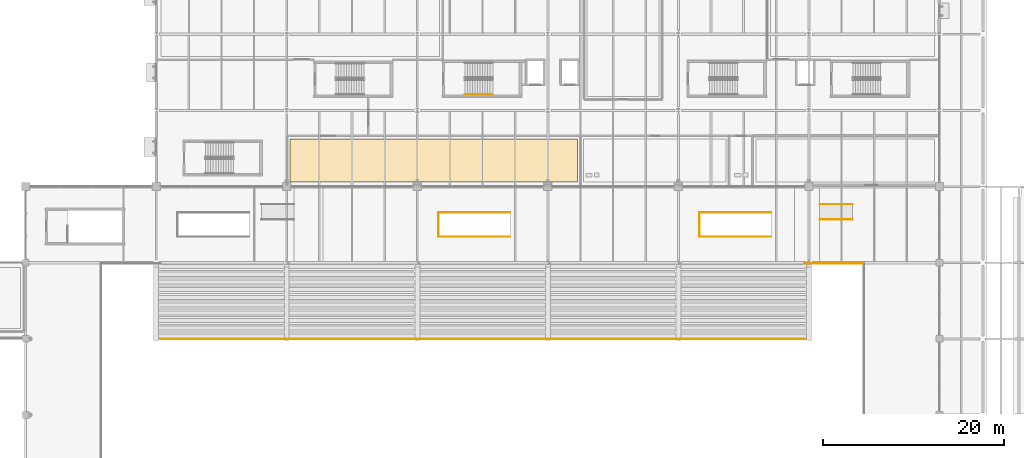
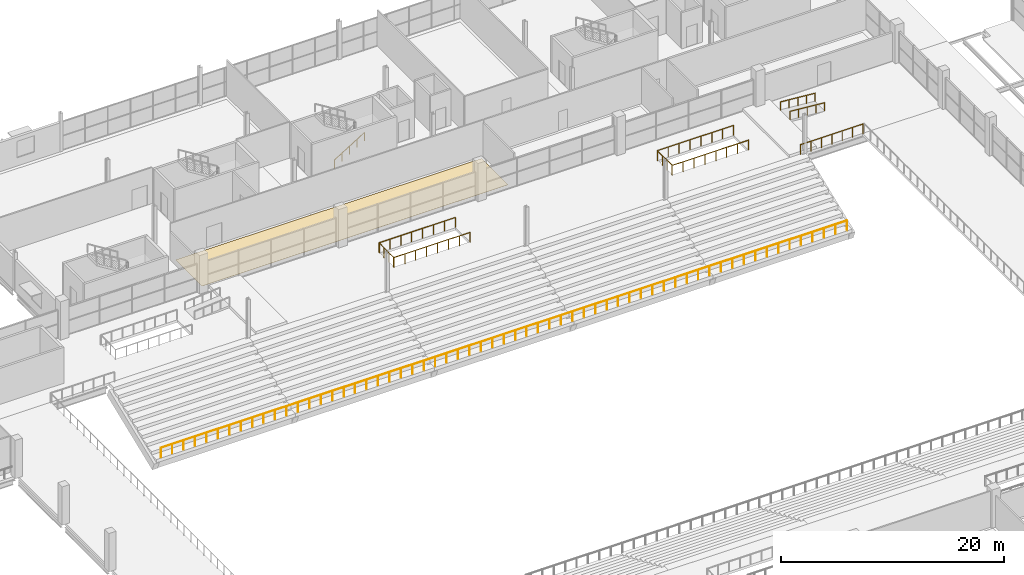
# One storey, part 156 of 161: 11 railings, 1 covering.
"""IFC4 building model written with IfcOpenShell, lengths in metres."""

from ifc_helpers import new_model, si_unit, direction, frame, origin, origin_2d, place, context, subcontext, project, spatial, polyline, circle, outline, extrude, material, layer, layer_set, type_object, element, save


model = new_model("IFC4")

# Units and contexts
model_context = context("Model", 3, precision=1e-05, world=origin(), true_north=direction((0.0, 1.0)))
body_context = subcontext(model_context, "Body", "Model", "MODEL_VIEW")
ifc_project = project(units=[si_unit("LENGTHUNIT", "METRE"), si_unit("AREAUNIT", "SQUARE_METRE"), si_unit("VOLUMEUNIT", "CUBIC_METRE"), si_unit("PLANEANGLEUNIT", "RADIAN"), si_unit("MASSUNIT", "GRAM", prefix="KILO"), si_unit("THERMODYNAMICTEMPERATUREUNIT", "KELVIN")], contexts=[model_context])

# Site, building, storey
site_placement = place(None, origin())
site = spatial("IfcSite", under=ifc_project, at=site_placement, CompositionType="ELEMENT")
building_placement = place(site_placement, origin())
building = spatial("IfcBuilding", under=site, at=building_placement, Name="Nduvali Passage Aquatics Centre", CompositionType="ELEMENT")
storey_placement = place(building_placement, frame((0.0, 0.0, 4.800048828125)))
storey = spatial("IfcBuildingStorey", under=building, at=storey_placement, Name="L01", CompositionType="ELEMENT", Elevation=4.800048828125)

# Covering
ifc_material_1 = material(Name="Resilient sports rubber flooring")
ifc_layer = layer(ifc_material_1, 0.02001953125, Name="Resilient sports rubber flooring")
ifc_layer_set = layer_set([ifc_layer], Name="Resilient sports rubber flooring")
covering_type = type_object("IfcCoveringType", Name="INT-COV-SPORT", PredefinedType="FLOORING", material=ifc_layer_set)
covering_placement = place(storey_placement, origin())
element("IfcCovering", 1, at=covering_placement, inside=storey, type_object=covering_type, Name="L01 Pool-View Functional Training Zone Floor Finish", PredefinedType="FLOORING", context=body_context, shape_type="SweptSolid", body=[
    extrude(outline(polyline([(54.3701171875, 92.909912109375), (86.050048828125, 92.909912109375), (86.050048828125, 97.64990234375), (54.3701171875, 97.64990234375), (54.3701171875, 92.909912109375)])), origin(), (0.0, 0.0, 1.0), 0.02001953125),
])

# Railings
ifc_material_2 = material(Name="Stainless steel balustrade", Category="steel")
railing_type_1 = type_object("IfcRailingType", Name="INT-RLG-GRD110", PredefinedType="GUARDRAIL", material=ifc_material_2)
railing_1_placement = place(storey_placement, frame((70.739990234375, 86.925048828125, 0.0)))
element("IfcRailing", 2, at=railing_1_placement, inside=storey, type_object=railing_type_1, Name="L01 Vomitory VST5 Well West Guardrail", PredefinedType="GUARDRAIL", context=body_context, shape_type="SweptSolid", body=[
    extrude(circle(Radius=0.02392578125, at=origin_2d()), frame((0.0, 0.0, 1.076171875), z_axis=(0.0, 1.0, 0.0), x_axis=(-1.0, 0.0, 0.0)), (0.0, 0.0, 1.0), 2.550048828125),
    extrude(circle(Radius=0.02099609375, at=origin_2d()), origin(), (0.0, 0.0, 1.0), 1.052001953125),
    extrude(circle(Radius=0.02099609375, at=origin_2d()), frame((0.0, 0.85009765625, 0.0)), (0.0, 0.0, 1.0), 1.052001953125),
    extrude(circle(Radius=0.02099609375, at=origin_2d()), frame((0.0, 1.699951171875, 0.0)), (0.0, 0.0, 1.0), 1.052001953125),
    extrude(circle(Radius=0.02099609375, at=origin_2d()), frame((0.0, 2.550048828125, 0.0)), (0.0, 0.0, 1.0), 1.052001953125),
])
for number, where, name in (
    (3, (70.739990234375, 86.864990234375, 0.0), "L01 Vomitory VST5 Well S Guardrail"),
    (4, (70.739990234375, 89.534912109375, 0.0), "L01 Vomitory VST5 Well N Guardrail"),
):
    element("IfcRailing", number, at=place(storey_placement, frame(where)), inside=storey, type_object=railing_type_1, Name=name, PredefinedType="GUARDRAIL", context=body_context, shape_type="SweptSolid", body=[
        extrude(circle(Radius=0.02392578125, at=origin_2d()), frame((0.0, 0.0, 1.076171875), z_axis=(1.0, 0.0, 0.0), x_axis=(0.0, 1.0, 0.0)), (0.0, 0.0, 1.0), 7.889892578125),
        extrude(circle(Radius=0.02099609375, at=origin_2d()), origin(), (0.0, 0.0, 1.0), 1.052001953125),
        extrude(circle(Radius=0.02099609375, at=origin_2d()), frame((1.127197265625, 0.0, 0.0)), (0.0, 0.0, 1.0), 1.052001953125),
        extrude(circle(Radius=0.02099609375, at=origin_2d()), frame((2.254150390625, 0.0, 0.0)), (0.0, 0.0, 1.0), 1.052001953125),
        extrude(circle(Radius=0.02099609375, at=origin_2d()), frame((3.38134765625, 0.0, 0.0)), (0.0, 0.0, 1.0), 1.052001953125),
        extrude(circle(Radius=0.02099609375, at=origin_2d()), frame((4.508544921875, 0.0, 0.0)), (0.0, 0.0, 1.0), 1.052001953125),
        extrude(circle(Radius=0.02099609375, at=origin_2d()), frame((5.6357421875, 0.0, 0.0)), (0.0, 0.0, 1.0), 1.052001953125),
        extrude(circle(Radius=0.02099609375, at=origin_2d()), frame((6.7626953125, 0.0, 0.0)), (0.0, 0.0, 1.0), 1.052001953125),
        extrude(circle(Radius=0.02099609375, at=origin_2d()), frame((7.889892578125, 0.0, 0.0)), (0.0, 0.0, 1.0), 1.052001953125),
    ])
railing_2_placement = place(storey_placement, frame((99.5400390625, 86.925048828125, 0.0)))
element("IfcRailing", 5, at=railing_2_placement, inside=storey, type_object=railing_type_1, Name="L01 Vomitory VST6 Well West Guardrail", PredefinedType="GUARDRAIL", context=body_context, shape_type="SweptSolid", body=[
    extrude(circle(Radius=0.02392578125, at=origin_2d()), frame((0.0, 0.0, 1.076171875), z_axis=(0.0, 1.0, 0.0), x_axis=(-1.0, 0.0, 0.0)), (0.0, 0.0, 1.0), 2.550048828125),
    extrude(circle(Radius=0.02099609375, at=origin_2d()), origin(), (0.0, 0.0, 1.0), 1.052001953125),
    extrude(circle(Radius=0.02099609375, at=origin_2d()), frame((0.0, 0.85009765625, 0.0)), (0.0, 0.0, 1.0), 1.052001953125),
    extrude(circle(Radius=0.02099609375, at=origin_2d()), frame((0.0, 1.699951171875, 0.0)), (0.0, 0.0, 1.0), 1.052001953125),
    extrude(circle(Radius=0.02099609375, at=origin_2d()), frame((0.0, 2.550048828125, 0.0)), (0.0, 0.0, 1.0), 1.052001953125),
])
for number, where, name in (
    (6, (99.5400390625, 86.864990234375, 0.0), "L01 Vomitory VST6 Well S Guardrail"),
    (7, (99.5400390625, 89.534912109375, 0.0), "L01 Vomitory VST6 Well N Guardrail"),
):
    element("IfcRailing", number, at=place(storey_placement, frame(where)), inside=storey, type_object=railing_type_1, Name=name, PredefinedType="GUARDRAIL", context=body_context, shape_type="SweptSolid", body=[
        extrude(circle(Radius=0.02392578125, at=origin_2d()), frame((0.0, 0.0, 1.076171875), z_axis=(1.0, 0.0, 0.0), x_axis=(0.0, 1.0, 0.0)), (0.0, 0.0, 1.0), 7.889892578125),
        extrude(circle(Radius=0.02099609375, at=origin_2d()), origin(), (0.0, 0.0, 1.0), 1.052001953125),
        extrude(circle(Radius=0.02099609375, at=origin_2d()), frame((1.127197265625, 0.0, 0.0)), (0.0, 0.0, 1.0), 1.052001953125),
        extrude(circle(Radius=0.02099609375, at=origin_2d()), frame((2.254150390625, 0.0, 0.0)), (0.0, 0.0, 1.0), 1.052001953125),
        extrude(circle(Radius=0.02099609375, at=origin_2d()), frame((3.38134765625, 0.0, 0.0)), (0.0, 0.0, 1.0), 1.052001953125),
        extrude(circle(Radius=0.02099609375, at=origin_2d()), frame((4.508544921875, 0.0, 0.0)), (0.0, 0.0, 1.0), 1.052001953125),
        extrude(circle(Radius=0.02099609375, at=origin_2d()), frame((5.6357421875, 0.0, 0.0)), (0.0, 0.0, 1.0), 1.052001953125),
        extrude(circle(Radius=0.02099609375, at=origin_2d()), frame((6.7626953125, 0.0, 0.0)), (0.0, 0.0, 1.0), 1.052001953125),
        extrude(circle(Radius=0.02099609375, at=origin_2d()), frame((7.889892578125, 0.0, 0.0)), (0.0, 0.0, 1.0), 1.052001953125),
    ])
railing_3_placement = place(storey_placement, frame((40.10009765625, 75.580078125, -3.239990234375)))
element("IfcRailing", 8, at=railing_3_placement, inside=storey, type_object=railing_type_1, Name="North Stand Front Sightline Balustrade", PredefinedType="GUARDRAIL", context=body_context, shape_type="SweptSolid", body=[
    extrude(circle(Radius=0.02392578125, at=origin_2d()), frame((0.0, 0.0, 1.076171875), z_axis=(1.0, 0.0, 0.0), x_axis=(0.0, 1.0, 0.0)), (0.0, 0.0, 1.0), 71.0),
    extrude(circle(Radius=0.02099609375, at=origin_2d()), origin(), (0.0, 0.0, 1.0), 1.052001953125),
    extrude(circle(Radius=0.02099609375, at=origin_2d()), frame((1.183349609375, 0.0, 0.0)), (0.0, 0.0, 1.0), 1.052001953125),
    extrude(circle(Radius=0.02099609375, at=origin_2d()), frame((2.36669921875, 0.0, 0.0)), (0.0, 0.0, 1.0), 1.052001953125),
    extrude(circle(Radius=0.02099609375, at=origin_2d()), frame((3.550048828125, 0.0, 0.0)), (0.0, 0.0, 1.0), 1.052001953125),
    extrude(circle(Radius=0.02099609375, at=origin_2d()), frame((4.7333984375, 0.0, 0.0)), (0.0, 0.0, 1.0), 1.052001953125),
    extrude(circle(Radius=0.02099609375, at=origin_2d()), frame((5.916748046875, 0.0, 0.0)), (0.0, 0.0, 1.0), 1.052001953125),
    extrude(circle(Radius=0.02099609375, at=origin_2d()), frame((7.10009765625, 0.0, 0.0)), (0.0, 0.0, 1.0), 1.052001953125),
    extrude(circle(Radius=0.02099609375, at=origin_2d()), frame((8.283447265625, 0.0, 0.0)), (0.0, 0.0, 1.0), 1.052001953125),
    extrude(circle(Radius=0.02099609375, at=origin_2d()), frame((9.466552734375, 0.0, 0.0)), (0.0, 0.0, 1.0), 1.052001953125),
    extrude(circle(Radius=0.02099609375, at=origin_2d()), frame((10.64990234375, 0.0, 0.0)), (0.0, 0.0, 1.0), 1.052001953125),
    extrude(circle(Radius=0.02099609375, at=origin_2d()), frame((11.833251953125, 0.0, 0.0)), (0.0, 0.0, 1.0), 1.052001953125),
    extrude(circle(Radius=0.02099609375, at=origin_2d()), frame((13.0166015625, 0.0, 0.0)), (0.0, 0.0, 1.0), 1.052001953125),
    extrude(circle(Radius=0.02099609375, at=origin_2d()), frame((14.199951171875, 0.0, 0.0)), (0.0, 0.0, 1.0), 1.052001953125),
    extrude(circle(Radius=0.02099609375, at=origin_2d()), frame((15.38330078125, 0.0, 0.0)), (0.0, 0.0, 1.0), 1.052001953125),
    extrude(circle(Radius=0.02099609375, at=origin_2d()), frame((16.566650390625, 0.0, 0.0)), (0.0, 0.0, 1.0), 1.052001953125),
    extrude(circle(Radius=0.02099609375, at=origin_2d()), frame((17.75, 0.0, 0.0)), (0.0, 0.0, 1.0), 1.052001953125),
    extrude(circle(Radius=0.02099609375, at=origin_2d()), frame((18.933349609375, 0.0, 0.0)), (0.0, 0.0, 1.0), 1.052001953125),
    extrude(circle(Radius=0.02099609375, at=origin_2d()), frame((20.11669921875, 0.0, 0.0)), (0.0, 0.0, 1.0), 1.052001953125),
    extrude(circle(Radius=0.02099609375, at=origin_2d()), frame((21.300048828125, 0.0, 0.0)), (0.0, 0.0, 1.0), 1.052001953125),
    extrude(circle(Radius=0.02099609375, at=origin_2d()), frame((22.4833984375, 0.0, 0.0)), (0.0, 0.0, 1.0), 1.052001953125),
    extrude(circle(Radius=0.02099609375, at=origin_2d()), frame((23.666748046875, 0.0, 0.0)), (0.0, 0.0, 1.0), 1.052001953125),
    extrude(circle(Radius=0.02099609375, at=origin_2d()), frame((24.85009765625, 0.0, 0.0)), (0.0, 0.0, 1.0), 1.052001953125),
    extrude(circle(Radius=0.02099609375, at=origin_2d()), frame((26.033447265625, 0.0, 0.0)), (0.0, 0.0, 1.0), 1.052001953125),
    extrude(circle(Radius=0.02099609375, at=origin_2d()), frame((27.216552734375, 0.0, 0.0)), (0.0, 0.0, 1.0), 1.052001953125),
    extrude(circle(Radius=0.02099609375, at=origin_2d()), frame((28.39990234375, 0.0, 0.0)), (0.0, 0.0, 1.0), 1.052001953125),
    extrude(circle(Radius=0.02099609375, at=origin_2d()), frame((29.583251953125, 0.0, 0.0)), (0.0, 0.0, 1.0), 1.052001953125),
    extrude(circle(Radius=0.02099609375, at=origin_2d()), frame((30.7666015625, 0.0, 0.0)), (0.0, 0.0, 1.0), 1.052001953125),
    extrude(circle(Radius=0.02099609375, at=origin_2d()), frame((31.949951171875, 0.0, 0.0)), (0.0, 0.0, 1.0), 1.052001953125),
    extrude(circle(Radius=0.02099609375, at=origin_2d()), frame((33.13330078125, 0.0, 0.0)), (0.0, 0.0, 1.0), 1.052001953125),
    extrude(circle(Radius=0.02099609375, at=origin_2d()), frame((34.316650390625, 0.0, 0.0)), (0.0, 0.0, 1.0), 1.052001953125),
    extrude(circle(Radius=0.02099609375, at=origin_2d()), frame((35.5, 0.0, 0.0)), (0.0, 0.0, 1.0), 1.052001953125),
    extrude(circle(Radius=0.02099609375, at=origin_2d()), frame((36.683349609375, 0.0, 0.0)), (0.0, 0.0, 1.0), 1.052001953125),
    extrude(circle(Radius=0.02099609375, at=origin_2d()), frame((37.86669921875, 0.0, 0.0)), (0.0, 0.0, 1.0), 1.052001953125),
    extrude(circle(Radius=0.02099609375, at=origin_2d()), frame((39.050048828125, 0.0, 0.0)), (0.0, 0.0, 1.0), 1.052001953125),
    extrude(circle(Radius=0.02099609375, at=origin_2d()), frame((40.2333984375, 0.0, 0.0)), (0.0, 0.0, 1.0), 1.052001953125),
    extrude(circle(Radius=0.02099609375, at=origin_2d()), frame((41.416748046875, 0.0, 0.0)), (0.0, 0.0, 1.0), 1.052001953125),
    extrude(circle(Radius=0.02099609375, at=origin_2d()), frame((42.60009765625, 0.0, 0.0)), (0.0, 0.0, 1.0), 1.052001953125),
    extrude(circle(Radius=0.02099609375, at=origin_2d()), frame((43.783447265625, 0.0, 0.0)), (0.0, 0.0, 1.0), 1.052001953125),
    extrude(circle(Radius=0.02099609375, at=origin_2d()), frame((44.966552734375, 0.0, 0.0)), (0.0, 0.0, 1.0), 1.052001953125),
    extrude(circle(Radius=0.02099609375, at=origin_2d()), frame((46.14990234375, 0.0, 0.0)), (0.0, 0.0, 1.0), 1.052001953125),
    extrude(circle(Radius=0.02099609375, at=origin_2d()), frame((47.333251953125, 0.0, 0.0)), (0.0, 0.0, 1.0), 1.052001953125),
    extrude(circle(Radius=0.02099609375, at=origin_2d()), frame((48.5166015625, 0.0, 0.0)), (0.0, 0.0, 1.0), 1.052001953125),
    extrude(circle(Radius=0.02099609375, at=origin_2d()), frame((49.699951171875, 0.0, 0.0)), (0.0, 0.0, 1.0), 1.052001953125),
    extrude(circle(Radius=0.02099609375, at=origin_2d()), frame((50.88330078125, 0.0, 0.0)), (0.0, 0.0, 1.0), 1.052001953125),
    extrude(circle(Radius=0.02099609375, at=origin_2d()), frame((52.066650390625, 0.0, 0.0)), (0.0, 0.0, 1.0), 1.052001953125),
    extrude(circle(Radius=0.02099609375, at=origin_2d()), frame((53.25, 0.0, 0.0)), (0.0, 0.0, 1.0), 1.052001953125),
    extrude(circle(Radius=0.02099609375, at=origin_2d()), frame((54.433349609375, 0.0, 0.0)), (0.0, 0.0, 1.0), 1.052001953125),
    extrude(circle(Radius=0.02099609375, at=origin_2d()), frame((55.61669921875, 0.0, 0.0)), (0.0, 0.0, 1.0), 1.052001953125),
    extrude(circle(Radius=0.02099609375, at=origin_2d()), frame((56.800048828125, 0.0, 0.0)), (0.0, 0.0, 1.0), 1.052001953125),
    extrude(circle(Radius=0.02099609375, at=origin_2d()), frame((57.9833984375, 0.0, 0.0)), (0.0, 0.0, 1.0), 1.052001953125),
    extrude(circle(Radius=0.02099609375, at=origin_2d()), frame((59.166748046875, 0.0, 0.0)), (0.0, 0.0, 1.0), 1.052001953125),
    extrude(circle(Radius=0.02099609375, at=origin_2d()), frame((60.35009765625, 0.0, 0.0)), (0.0, 0.0, 1.0), 1.052001953125),
    extrude(circle(Radius=0.02099609375, at=origin_2d()), frame((61.533447265625, 0.0, 0.0)), (0.0, 0.0, 1.0), 1.052001953125),
    extrude(circle(Radius=0.02099609375, at=origin_2d()), frame((62.716552734375, 0.0, 0.0)), (0.0, 0.0, 1.0), 1.052001953125),
    extrude(circle(Radius=0.02099609375, at=origin_2d()), frame((63.89990234375, 0.0, 0.0)), (0.0, 0.0, 1.0), 1.052001953125),
    extrude(circle(Radius=0.02099609375, at=origin_2d()), frame((65.083251953125, 0.0, 0.0)), (0.0, 0.0, 1.0), 1.052001953125),
    extrude(circle(Radius=0.02099609375, at=origin_2d()), frame((66.2666015625, 0.0, 0.0)), (0.0, 0.0, 1.0), 1.052001953125),
    extrude(circle(Radius=0.02099609375, at=origin_2d()), frame((67.449951171875, 0.0, 0.0)), (0.0, 0.0, 1.0), 1.052001953125),
    extrude(circle(Radius=0.02099609375, at=origin_2d()), frame((68.63330078125, 0.0, 0.0)), (0.0, 0.0, 1.0), 1.052001953125),
    extrude(circle(Radius=0.02099609375, at=origin_2d()), frame((69.816650390625, 0.0, 0.0)), (0.0, 0.0, 1.0), 1.052001953125),
    extrude(circle(Radius=0.02099609375, at=origin_2d()), frame((71.0, 0.0, 0.0)), (0.0, 0.0, 1.0), 1.052001953125),
])
railing_4_placement = place(storey_placement, frame((111.10009765625, 83.919921875, 0.0)))
element("IfcRailing", 9, at=railing_4_placement, inside=storey, type_object=railing_type_1, Name="L01 North Concourse East Void Guard", PredefinedType="GUARDRAIL", context=body_context, shape_type="SweptSolid", body=[
    extrude(circle(Radius=0.02392578125, at=origin_2d()), frame((0.0, 0.0, 1.076171875), z_axis=(1.0, 0.0, 0.0), x_axis=(0.0, 1.0, 0.0)), (0.0, 0.0, 1.0), 6.5),
    extrude(circle(Radius=0.02099609375, at=origin_2d()), origin(), (0.0, 0.0, 1.0), 1.052001953125),
    extrude(circle(Radius=0.02099609375, at=origin_2d()), frame((1.083251953125, 0.0, 0.0)), (0.0, 0.0, 1.0), 1.052001953125),
    extrude(circle(Radius=0.02099609375, at=origin_2d()), frame((2.166748046875, 0.0, 0.0)), (0.0, 0.0, 1.0), 1.052001953125),
    extrude(circle(Radius=0.02099609375, at=origin_2d()), frame((3.25, 0.0, 0.0)), (0.0, 0.0, 1.0), 1.052001953125),
    extrude(circle(Radius=0.02099609375, at=origin_2d()), frame((4.333251953125, 0.0, 0.0)), (0.0, 0.0, 1.0), 1.052001953125),
    extrude(circle(Radius=0.02099609375, at=origin_2d()), frame((5.416748046875, 0.0, 0.0)), (0.0, 0.0, 1.0), 1.052001953125),
    extrude(circle(Radius=0.02099609375, at=origin_2d()), frame((6.5, 0.0, 0.0)), (0.0, 0.0, 1.0), 1.052001953125),
])
railing_type_2 = type_object("IfcRailingType", Name="INT-RLG-HND90", PredefinedType="HANDRAIL", material=ifc_material_2)
railing_5_placement = place(storey_placement, frame((73.64990234375, 102.550048828125, 0.353515625)))
element("IfcRailing", 10, at=railing_5_placement, inside=storey, type_object=railing_type_2, Name="L01 ST1 stair handrail 1", PredefinedType="HANDRAIL", context=body_context, shape_type="SweptSolid", body=[
    extrude(circle(Radius=0.02392578125, at=origin_2d()), frame((0.0, 0.0, 0.8759765625), z_axis=(0.847998304005, 0.0, 0.529998940003), x_axis=(0.0, 1.0, 0.0)), (0.0, 0.0, 1.0), 3.632080078125),
    extrude(circle(Radius=0.02099609375, at=origin_2d()), origin(), (0.0, 0.0, 1.0), 0.851806640625),
    extrude(circle(Radius=0.02099609375, at=origin_2d()), frame((0.77001953125, 0.0, 0.481201171875)), (0.0, 0.0, 1.0), 0.851806640625),
    extrude(circle(Radius=0.02099609375, at=origin_2d()), frame((1.5400390625, 0.0, 0.96240234375)), (0.0, 0.0, 1.0), 0.851806640625),
    extrude(circle(Radius=0.02099609375, at=origin_2d()), frame((2.31005859375, 0.0, 1.44384765625)), (0.0, 0.0, 1.0), 0.851806640625),
    extrude(circle(Radius=0.02099609375, at=origin_2d()), frame((3.080078125, 0.0, 1.925048828125)), (0.0, 0.0, 1.0), 0.851806640625),
])
for number, where, name in (
    (11, (116.39990234375, 90.449951171875, 0.0), "North Stand East Wheelchair Viewing Platform Ramp PR5 Handrail 1"),
    (12, (116.39990234375, 88.75, 0.0), "North Stand East Wheelchair Viewing Platform Ramp PR5 Handrail 2"),
):
    element("IfcRailing", number, at=place(storey_placement, frame(where)), inside=storey, type_object=railing_type_2, Name=name, PredefinedType="HANDRAIL", context=body_context, shape_type="SweptSolid", body=[
        extrude(circle(Radius=0.02392578125, at=origin_2d()), frame((0.0, 0.0, 0.89599609375), z_axis=(-0.996544359788, 0.0, 0.083062259626), x_axis=(0.0, -1.0, 0.0)), (0.0, 0.0, 1.0), 3.6123046875),
        extrude(circle(Radius=0.02099609375, at=origin_2d()), origin(), (0.0, 0.0, 1.0), 0.871826171875),
        extrude(circle(Radius=0.02099609375, at=origin_2d()), frame((-0.89990234375, 0.0, 0.074951171875)), (0.0, 0.0, 1.0), 0.871826171875),
        extrude(circle(Radius=0.02099609375, at=origin_2d()), frame((-1.7998046875, 0.0, 0.14990234375)), (0.0, 0.0, 1.0), 0.871826171875),
        extrude(circle(Radius=0.02099609375, at=origin_2d()), frame((-2.699951171875, 0.0, 0.22509765625)), (0.0, 0.0, 1.0), 0.871826171875),
        extrude(circle(Radius=0.02099609375, at=origin_2d()), frame((-3.599853515625, 0.0, 0.300048828125)), (0.0, 0.0, 1.0), 0.871826171875),
    ])

save(model, "model.ifc")
